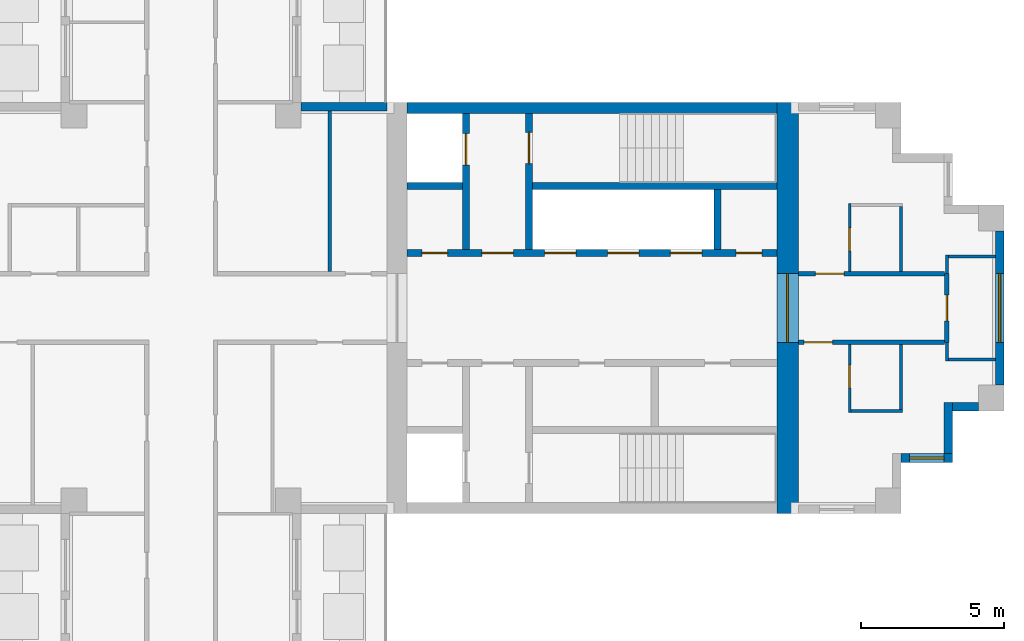
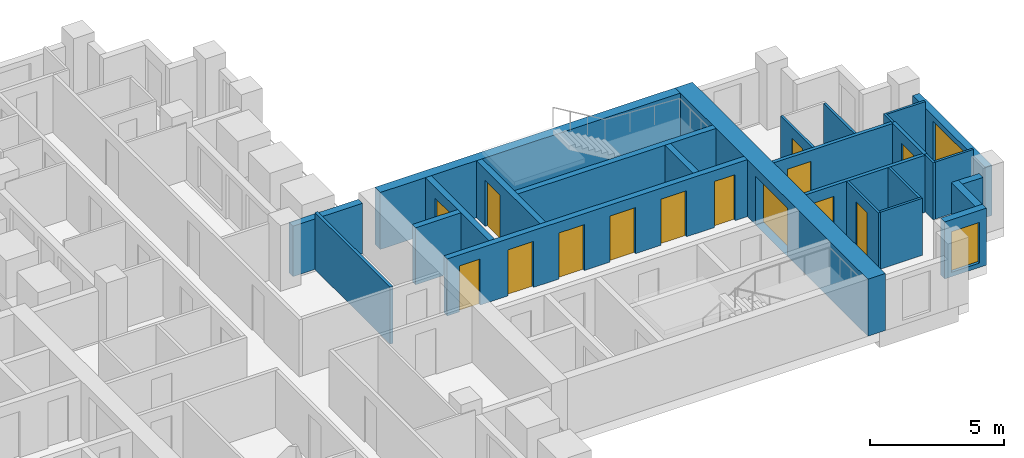
# One storey, part 6 of 10: 26 walls, 14 doors, 2 windows, 16 openings.
"""IFC4 building model written with IfcOpenShell, lengths in metres."""

from ifc_helpers import new_model, si_unit, direction, frame, frame_2d, origin, place, context, subcontext, project, spatial, rectangle, extrude, material, layer, layer_set, type_object, element, fill, save


model = new_model("IFC4")

# Units and contexts
model_context = context("Model", 3, precision=1e-05, world=origin(), true_north=direction((0.0, 1.0)))
body_context = subcontext(model_context, "Body", "Model", "MODEL_VIEW")
ifc_project = project(units=[si_unit("LENGTHUNIT", "METRE"), si_unit("AREAUNIT", "SQUARE_METRE"), si_unit("VOLUMEUNIT", "CUBIC_METRE"), si_unit("PLANEANGLEUNIT", "RADIAN"), si_unit("MASSUNIT", "GRAM", prefix="KILO")], contexts=[model_context])

# Site, building, storey
site_placement = place(None, origin())
site = spatial("IfcSite", under=ifc_project, at=site_placement, CompositionType="ELEMENT")
building_placement = place(site_placement, origin())
building = spatial("IfcBuilding", under=site, at=building_placement, Name="Fustian Cross Tower", CompositionType="ELEMENT")
storey_placement = place(building_placement, frame((0.0, 0.0, 225.89990234375)))
storey = spatial("IfcBuildingStorey", under=building, at=storey_placement, Name="L71", CompositionType="ELEMENT", Elevation=225.89990234375)

# Wall, opening, door
ifc_material_1 = material(Name="Plasterboard on steel stud", Category="steel")
ifc_layer_1 = layer(ifc_material_1, 0.14990234375)
ifc_layer_set_1 = layer_set([ifc_layer_1], Name="Plasterboard on steel stud")
wall_type_1 = type_object("IfcWallType", Name="COMPARTMENT WALL 150 EI 60", PredefinedType="PARTITIONING", material=ifc_layer_set_1)
wall_1_placement = place(storey_placement, frame((21.60009765625, -1.199951171875, 0.0), z_axis=(0.0, 0.0, 1.0), x_axis=(1.0, 0.0, 0.0)))
wall_1 = element("IfcWall", 1, at=wall_1_placement, inside=storey, type_object=wall_type_1, Name="Partition 60", PredefinedType="PARTITIONING", context=body_context, shape_type="SweptSolid", body=[
    extrude(rectangle(XDim=5.125, YDim=0.14990234375, at=frame_2d((2.5625, 0.0))), origin(), (0.0, 0.0, 1.0), 2.60009765625),
])
opening_1_placement = place(wall_1_placement, frame((0.199951171875, 0.0, 0.0)))
opening_1 = element("IfcOpeningElement", 2, at=opening_1_placement, cuts=wall_1, Name="Opening D32014", PredefinedType="OPENING", context=body_context, shape_type="SweptSolid", body=[
    extrude(rectangle(XDim=1.0, YDim=2.10009765625, at=frame_2d((0.5, 1.050048828125))), frame((0.0, 0.0849609375, 0.0), z_axis=(0.0, -1.0, 0.0), x_axis=(1.0, 0.0, 0.0)), (0.0, 0.0, 1.0), 0.169921875),
])
ifc_material_2 = material(Name="Timber fire door set", Category="wood")
door_type_1 = type_object("IfcDoorType", Name="FIRE SWING DOOR 1000 FD30S", OperationType="SINGLE_SWING_LEFT", PredefinedType="DOOR", material=ifc_material_2)
door_1_placement = place(opening_1_placement, frame((1.0, 0.0, 0.0), z_axis=(0.0, 0.0, 1.0), x_axis=(-1.0, 0.0, 0.0)))
door_1 = element("IfcDoor", 3, at=door_1_placement, inside=storey, type_object=door_type_1, Name="Door D32014", OperationType="SINGLE_SWING_RIGHT", OverallHeight=2.10009765625, OverallWidth=1.0, PredefinedType="DOOR", context=body_context, shape_type="SweptSolid", body=[
    extrude(rectangle(XDim=1.0, YDim=2.10009765625, at=frame_2d((0.5, 1.050048828125))), frame((0.0, 0.02490234375, 0.0), z_axis=(0.0, -1.0, 0.0), x_axis=(1.0, 0.0, 0.0)), (0.0, 0.0, 1.0), 0.050048828125),
])
fill(opening_1, door_1)

wall_2_placement = place(storey_placement, frame((21.60009765625, 1.199951171875, 0.0), z_axis=(0.0, 0.0, 1.0), x_axis=(1.0, 0.0, 0.0)))
wall_2 = element("IfcWall", 4, at=wall_2_placement, inside=storey, type_object=wall_type_1, Name="Partition 61", PredefinedType="PARTITIONING", context=body_context, shape_type="SweptSolid", body=[
    extrude(rectangle(XDim=5.125, YDim=0.14990234375, at=frame_2d((2.5625, 0.0))), origin(), (0.0, 0.0, 1.0), 2.60009765625),
])
opening_2_placement = place(wall_2_placement, frame((0.60009765625, 0.0, 0.0)))
opening_2 = element("IfcOpeningElement", 5, at=opening_2_placement, cuts=wall_2, Name="Opening D32012", PredefinedType="OPENING", context=body_context, shape_type="SweptSolid", body=[
    extrude(rectangle(XDim=1.0, YDim=2.10009765625, at=frame_2d((0.5, 1.050048828125))), frame((0.0, 0.0849609375, 0.0), z_axis=(0.0, -1.0, 0.0), x_axis=(1.0, 0.0, 0.0)), (0.0, 0.0, 1.0), 0.169921875),
])
door_2_placement = place(opening_2_placement, origin())
door_2 = element("IfcDoor", 6, at=door_2_placement, inside=storey, type_object=door_type_1, Name="Door D32012", OperationType="SINGLE_SWING_RIGHT", OverallHeight=2.10009765625, OverallWidth=1.0, PredefinedType="DOOR", context=body_context, shape_type="SweptSolid", body=[
    extrude(rectangle(XDim=1.0, YDim=2.10009765625, at=frame_2d((0.5, 1.050048828125))), frame((0.0, 0.02490234375, 0.0), z_axis=(0.0, -1.0, 0.0), x_axis=(1.0, 0.0, 0.0)), (0.0, 0.0, 1.0), 0.050048828125),
])
fill(opening_2, door_2)

wall_3_placement = place(storey_placement, frame((26.800048828125, -1.199951171875, 0.0), z_axis=(0.0, 0.0, 1.0), x_axis=(0.0, 1.0, 0.0)))
wall_3 = element("IfcWall", 7, at=wall_3_placement, inside=storey, type_object=wall_type_1, Name="Partition 70", PredefinedType="PARTITIONING", context=body_context, shape_type="SweptSolid", body=[
    extrude(rectangle(XDim=2.39990234375, YDim=0.14990234375, at=frame_2d((1.199951171875, 0.0))), origin(), (0.0, 0.0, 1.0), 2.60009765625),
])
opening_3_placement = place(wall_3_placement, frame((0.75, 0.0, 0.0)))
opening_3 = element("IfcOpeningElement", 8, at=opening_3_placement, cuts=wall_3, Name="Opening D32010", PredefinedType="OPENING", context=body_context, shape_type="SweptSolid", body=[
    extrude(rectangle(XDim=0.89990234375, YDim=2.10009765625, at=frame_2d((0.449951171875, 1.050048828125))), frame((0.0, 0.0849609375, 0.0), z_axis=(0.0, -1.0, 0.0), x_axis=(1.0, 0.0, 0.0)), (0.0, 0.0, 1.0), 0.169921875),
])
ifc_material_3 = material(Name="Timber fire door set", Category="wood")
door_type_2 = type_object("IfcDoorType", Name="FIRE SWING DOOR 900 FD30S", OperationType="SINGLE_SWING_LEFT", PredefinedType="DOOR", material=ifc_material_3)
door_3_placement = place(opening_3_placement, frame((0.89990234375, 0.0, 0.0), z_axis=(0.0, 0.0, 1.0), x_axis=(-1.0, 0.0, 0.0)))
door_3 = element("IfcDoor", 9, at=door_3_placement, inside=storey, type_object=door_type_2, Name="Door D32010", OperationType="SINGLE_SWING_RIGHT", OverallHeight=2.10009765625, OverallWidth=0.89990234375, PredefinedType="DOOR", context=body_context, shape_type="SweptSolid", body=[
    extrude(rectangle(XDim=0.89990234375, YDim=2.10009765625, at=frame_2d((0.449951171875, 1.050048828125))), frame((0.0, 0.02490234375, 0.0), z_axis=(0.0, -1.0, 0.0), x_axis=(1.0, 0.0, 0.0)), (0.0, 0.0, 1.0), 0.050048828125),
])
fill(opening_3, door_3)

ifc_material_4 = material(Name="Concrete C50/60", Category="concrete")
ifc_layer_2 = layer(ifc_material_4, 0.75)
ifc_layer_set_2 = layer_set([ifc_layer_2], Name="Concrete C50/60")
wall_type_2 = type_object("IfcWallType", Name="CORE END WALL 750 C50/60", PredefinedType="SHEAR", material=ifc_layer_set_2)
wall_4_placement = place(storey_placement, frame((21.22509765625, -7.199951171875, 0.0), z_axis=(0.0, 0.0, 1.0), x_axis=(0.0, 1.0, 0.0)))
wall_4 = element("IfcWall", 10, at=wall_4_placement, inside=storey, type_object=wall_type_2, Name="Core end wall", PredefinedType="SHEAR", context=body_context, shape_type="SweptSolid", body=[
    extrude(rectangle(XDim=14.39990234375, YDim=0.75, at=frame_2d((7.199951171875, 0.0))), origin(), (0.0, 0.0, 1.0), 2.60009765625),
])
opening_4_placement = place(wall_4_placement, frame((6.0, 0.0, 0.0)))
opening_4 = element("IfcOpeningElement", 11, at=opening_4_placement, cuts=wall_4, Name="Opening CD-27-13", PredefinedType="OPENING", context=body_context, shape_type="SweptSolid", body=[
    extrude(rectangle(XDim=2.39990234375, YDim=2.199951171875, at=frame_2d((1.199951171875, 1.10009765625))), frame((0.0, 0.385009765625, 0.0), z_axis=(0.0, -1.0, 0.0), x_axis=(1.0, 0.0, 0.0)), (0.0, 0.0, 1.0), 0.77001953125),
])
ifc_material_5 = material(Name="Steel", Category="steel")
door_type_3 = type_object("IfcDoorType", Name="FIRE DOOR FD30S DOUBLE 2400X2200", OperationType="DOUBLE_DOOR_DOUBLE_SWING", PredefinedType="DOOR", material=ifc_material_5)
door_4_placement = place(opening_4_placement, origin())
door_4 = element("IfcDoor", 12, at=door_4_placement, inside=storey, type_object=door_type_3, Name="Core door CD-27-13", OperationType="DOUBLE_DOOR_DOUBLE_SWING", OverallHeight=2.199951171875, OverallWidth=2.39990234375, PredefinedType="DOOR", context=body_context, shape_type="SweptSolid", body=[
    extrude(rectangle(XDim=2.39990234375, YDim=2.199951171875, at=frame_2d((1.199951171875, 1.10009765625))), frame((0.0, 0.02490234375, 0.0), z_axis=(0.0, -1.0, 0.0), x_axis=(1.0, 0.0, 0.0)), (0.0, 0.0, 1.0), 0.050048828125),
])
fill(opening_4, door_4)

# Wall
ifc_material_6 = material(Name="Concrete C50/60", Category="concrete")
ifc_layer_3 = layer(ifc_material_6, 0.39990234375)
ifc_layer_set_3 = layer_set([ifc_layer_3], Name="Concrete C50/60")
wall_type_3 = type_object("IfcWallType", Name="CORE FACADE WALL 400 C50/60", PredefinedType="SHEAR", material=ifc_layer_set_3)
wall_5_placement = place(storey_placement, frame((7.89990234375, 7.0, 0.0), z_axis=(0.0, 0.0, 1.0), x_axis=(1.0, 0.0, 0.0)))
element("IfcWall", 13, at=wall_5_placement, inside=storey, type_object=wall_type_3, Name="Core facade wall", PredefinedType="SHEAR", context=body_context, shape_type="SweptSolid", body=[
    extrude(rectangle(XDim=12.9501953125, YDim=0.39990234375, at=frame_2d((6.47509765625, 0.0))), origin(), (0.0, 0.0, 1.0), 2.60009765625),
])

# Wall, openings, doors
ifc_material_7 = material(Name="Concrete C50/60", Category="concrete")
ifc_layer_4 = layer(ifc_material_7, 0.25)
ifc_layer_set_4 = layer_set([ifc_layer_4], Name="Concrete C50/60")
wall_type_4 = type_object("IfcWallType", Name="CORE LOBBY WALL 250 C50/60", PredefinedType="SHEAR", material=ifc_layer_set_4)
wall_6_placement = place(storey_placement, frame((7.89990234375, 1.925048828125, 0.0), z_axis=(0.0, 0.0, 1.0), x_axis=(1.0, 0.0, 0.0)))
wall_6 = element("IfcWall", 14, at=wall_6_placement, inside=storey, type_object=wall_type_4, Name="Core lobby wall", PredefinedType="SHEAR", context=body_context, shape_type="SweptSolid", body=[
    extrude(rectangle(XDim=12.9501953125, YDim=0.25, at=frame_2d((6.47509765625, 0.0))), origin(), (0.0, 0.0, 1.0), 2.60009765625),
])
opening_5_placement = place(wall_6_placement, frame((4.824951171875, 0.0, 0.0)))
opening_5 = element("IfcOpeningElement", 15, at=opening_5_placement, cuts=wall_6, Name="Opening LD", PredefinedType="OPENING", context=body_context, shape_type="SweptSolid", body=[
    extrude(rectangle(XDim=1.10009765625, YDim=2.10009765625, at=frame_2d((0.550048828125, 1.050048828125))), frame((0.0, 0.135009765625, 0.0), z_axis=(0.0, -1.0, 0.0), x_axis=(1.0, 0.0, 0.0)), (0.0, 0.0, 1.0), 0.27001953125),
])
opening_6_placement = place(wall_6_placement, frame((7.02490234375, 0.0, 0.0)))
opening_6 = element("IfcOpeningElement", 16, at=opening_6_placement, cuts=wall_6, Name="Opening LD", PredefinedType="OPENING", context=body_context, shape_type="SweptSolid", body=[
    extrude(rectangle(XDim=1.10009765625, YDim=2.10009765625, at=frame_2d((0.550048828125, 1.050048828125))), frame((0.0, 0.135009765625, 0.0), z_axis=(0.0, -1.0, 0.0), x_axis=(1.0, 0.0, 0.0)), (0.0, 0.0, 1.0), 0.27001953125),
])
opening_7_placement = place(wall_6_placement, frame((9.22509765625, 0.0, 0.0)))
opening_7 = element("IfcOpeningElement", 17, at=opening_7_placement, cuts=wall_6, Name="Opening LD", PredefinedType="OPENING", context=body_context, shape_type="SweptSolid", body=[
    extrude(rectangle(XDim=1.10009765625, YDim=2.10009765625, at=frame_2d((0.550048828125, 1.050048828125))), frame((0.0, 0.135009765625, 0.0), z_axis=(0.0, -1.0, 0.0), x_axis=(1.0, 0.0, 0.0)), (0.0, 0.0, 1.0), 0.27001953125),
])
opening_8_placement = place(wall_6_placement, frame((0.52490234375, 0.0, 0.0)))
opening_8 = element("IfcOpeningElement", 18, at=opening_8_placement, cuts=wall_6, Name="Opening CD-27-08", PredefinedType="OPENING", context=body_context, shape_type="SweptSolid", body=[
    extrude(rectangle(XDim=0.89990234375, YDim=2.10009765625, at=frame_2d((0.449951171875, 1.050048828125))), frame((0.0, 0.135009765625, 0.0), z_axis=(0.0, -1.0, 0.0), x_axis=(1.0, 0.0, 0.0)), (0.0, 0.0, 1.0), 0.27001953125),
])
opening_9_placement = place(wall_6_placement, frame((2.625, 0.0, 0.0)))
opening_9 = element("IfcOpeningElement", 19, at=opening_9_placement, cuts=wall_6, Name="Opening CD-27-10", PredefinedType="OPENING", context=body_context, shape_type="SweptSolid", body=[
    extrude(rectangle(XDim=1.10009765625, YDim=2.10009765625, at=frame_2d((0.550048828125, 1.050048828125))), frame((0.0, 0.135009765625, 0.0), z_axis=(0.0, -1.0, 0.0), x_axis=(1.0, 0.0, 0.0)), (0.0, 0.0, 1.0), 0.27001953125),
])
opening_10_placement = place(wall_6_placement, frame((11.52490234375, 0.0, 0.0)))
opening_10 = element("IfcOpeningElement", 20, at=opening_10_placement, cuts=wall_6, Name="Opening CD-27-14", PredefinedType="OPENING", context=body_context, shape_type="SweptSolid", body=[
    extrude(rectangle(XDim=0.89990234375, YDim=2.10009765625, at=frame_2d((0.449951171875, 1.050048828125))), frame((0.0, 0.135009765625, 0.0), z_axis=(0.0, -1.0, 0.0), x_axis=(1.0, 0.0, 0.0)), (0.0, 0.0, 1.0), 0.27001953125),
])
ifc_material_8 = material(Name="Steel", Category="steel")
door_type_4 = type_object("IfcDoorType", Name="FIRE DOOR FD30S 900X2100", OperationType="SINGLE_SWING_LEFT", PredefinedType="DOOR", material=ifc_material_8)
door_5_placement = place(opening_10_placement, origin())
door_5 = element("IfcDoor", 21, at=door_5_placement, inside=storey, type_object=door_type_4, Name="Core door CD-27-14", OperationType="SINGLE_SWING_LEFT", OverallHeight=2.10009765625, OverallWidth=0.89990234375, PredefinedType="DOOR", context=body_context, shape_type="SweptSolid", body=[
    extrude(rectangle(XDim=0.89990234375, YDim=2.10009765625, at=frame_2d((0.449951171875, 1.050048828125))), frame((0.0, 0.02490234375, 0.0), z_axis=(0.0, -1.0, 0.0), x_axis=(1.0, 0.0, 0.0)), (0.0, 0.0, 1.0), 0.050048828125),
])
fill(opening_10, door_5)
ifc_material_9 = material(Name="Steel", Category="steel")
door_type_5 = type_object("IfcDoorType", Name="FIRE DOOR FD60S 1100X2100", OperationType="SINGLE_SWING_LEFT", PredefinedType="DOOR", material=ifc_material_9)
door_6_placement = place(opening_9_placement, frame((1.10009765625, 0.0, 0.0), z_axis=(0.0, 0.0, 1.0), x_axis=(-1.0, 0.0, 0.0)))
door_6 = element("IfcDoor", 22, at=door_6_placement, inside=storey, type_object=door_type_5, Name="Core door CD-27-10", OperationType="SINGLE_SWING_RIGHT", OverallHeight=2.10009765625, OverallWidth=1.10009765625, PredefinedType="DOOR", context=body_context, shape_type="SweptSolid", body=[
    extrude(rectangle(XDim=1.10009765625, YDim=2.10009765625, at=frame_2d((0.550048828125, 1.050048828125))), frame((0.0, 0.02490234375, 0.0), z_axis=(0.0, -1.0, 0.0), x_axis=(1.0, 0.0, 0.0)), (0.0, 0.0, 1.0), 0.050048828125),
])
fill(opening_9, door_6)
ifc_material_10 = material(Name="Steel", Category="steel")
door_type_6 = type_object("IfcDoorType", Name="FIRE DOOR FD60S 900X2100", OperationType="SINGLE_SWING_LEFT", PredefinedType="DOOR", material=ifc_material_10)
door_7_placement = place(opening_8_placement, origin())
door_7 = element("IfcDoor", 23, at=door_7_placement, inside=storey, type_object=door_type_6, Name="Core door CD-27-08", OperationType="SINGLE_SWING_LEFT", OverallHeight=2.10009765625, OverallWidth=0.89990234375, PredefinedType="DOOR", context=body_context, shape_type="SweptSolid", body=[
    extrude(rectangle(XDim=0.89990234375, YDim=2.10009765625, at=frame_2d((0.449951171875, 1.050048828125))), frame((0.0, 0.02490234375, 0.0), z_axis=(0.0, -1.0, 0.0), x_axis=(1.0, 0.0, 0.0)), (0.0, 0.0, 1.0), 0.050048828125),
])
fill(opening_8, door_7)
ifc_material_11 = material(Name="Stainless steel", Category="steel")
door_type_7 = type_object("IfcDoorType", Name="LIFT LANDING DOOR 1100X2100", OperationType="SLIDING_TO_LEFT", PredefinedType="DOOR", material=ifc_material_11)
door_8_placement = place(opening_5_placement, origin())
door_8 = element("IfcDoor", 24, at=door_8_placement, inside=storey, type_object=door_type_7, Name="Landing door HR1", OperationType="SLIDING_TO_LEFT", OverallHeight=2.10009765625, OverallWidth=1.10009765625, PredefinedType="DOOR", context=body_context, shape_type="SweptSolid", body=[
    extrude(rectangle(XDim=1.10009765625, YDim=2.10009765625, at=frame_2d((0.550048828125, 1.050048828125))), frame((0.0, 0.02490234375, 0.0), z_axis=(0.0, -1.0, 0.0), x_axis=(1.0, 0.0, 0.0)), (0.0, 0.0, 1.0), 0.050048828125),
])
fill(opening_5, door_8)
door_9_placement = place(opening_6_placement, origin())
door_9 = element("IfcDoor", 25, at=door_9_placement, inside=storey, type_object=door_type_7, Name="Landing door HR2", OperationType="SLIDING_TO_LEFT", OverallHeight=2.10009765625, OverallWidth=1.10009765625, PredefinedType="DOOR", context=body_context, shape_type="SweptSolid", body=[
    extrude(rectangle(XDim=1.10009765625, YDim=2.10009765625, at=frame_2d((0.550048828125, 1.050048828125))), frame((0.0, 0.02490234375, 0.0), z_axis=(0.0, -1.0, 0.0), x_axis=(1.0, 0.0, 0.0)), (0.0, 0.0, 1.0), 0.050048828125),
])
fill(opening_6, door_9)
door_10_placement = place(opening_7_placement, origin())
door_10 = element("IfcDoor", 26, at=door_10_placement, inside=storey, type_object=door_type_7, Name="Landing door HR3", OperationType="SLIDING_TO_LEFT", OverallHeight=2.10009765625, OverallWidth=1.10009765625, PredefinedType="DOOR", context=body_context, shape_type="SweptSolid", body=[
    extrude(rectangle(XDim=1.10009765625, YDim=2.10009765625, at=frame_2d((0.550048828125, 1.050048828125))), frame((0.0, 0.02490234375, 0.0), z_axis=(0.0, -1.0, 0.0), x_axis=(1.0, 0.0, 0.0)), (0.0, 0.0, 1.0), 0.050048828125),
])
fill(opening_7, door_10)

# Walls
ifc_material_12 = material(Name="Concrete C50/60", Category="concrete")
ifc_layer_5 = layer(ifc_material_12, 0.25)
ifc_layer_set_5 = layer_set([ifc_layer_5], Name="Concrete C50/60")
wall_type_5 = type_object("IfcWallType", Name="CORE SHAFT WALL 250 C50/60", PredefinedType="SHEAR", material=ifc_layer_set_5)
wall_7_placement = place(storey_placement, frame((7.89990234375, 4.27490234375, 0.0), z_axis=(0.0, 0.0, 1.0), x_axis=(1.0, 0.0, 0.0)))
element("IfcWall", 27, at=wall_7_placement, inside=storey, type_object=wall_type_5, Name="Core shaft wall", PredefinedType="SHEAR", context=body_context, shape_type="SweptSolid", body=[
    extrude(rectangle(XDim=1.9501953125, YDim=0.25, at=frame_2d((0.97509765625, 0.0))), origin(), (0.0, 0.0, 1.0), 2.60009765625),
])
wall_8_placement = place(storey_placement, frame((12.300048828125, 4.27490234375, 0.0), z_axis=(0.0, 0.0, 1.0), x_axis=(1.0, 0.0, 0.0)))
element("IfcWall", 28, at=wall_8_placement, inside=storey, type_object=wall_type_5, Name="Core shaft wall", PredefinedType="SHEAR", context=body_context, shape_type="SweptSolid", body=[
    extrude(rectangle(XDim=8.550048828125, YDim=0.25, at=frame_2d((4.27490234375, 0.0))), origin(), (0.0, 0.0, 1.0), 2.60009765625),
])

# Wall, opening, door
wall_9_placement = place(storey_placement, frame((9.97509765625, 2.050048828125, 0.0), z_axis=(0.0, 0.0, 1.0), x_axis=(0.0, 1.0, 0.0)))
wall_9 = element("IfcWall", 29, at=wall_9_placement, inside=storey, type_object=wall_type_5, Name="Core shaft wall", PredefinedType="SHEAR", context=body_context, shape_type="SweptSolid", body=[
    extrude(rectangle(XDim=4.75, YDim=0.25, at=frame_2d((2.375, 0.0))), origin(), (0.0, 0.0, 1.0), 2.60009765625),
])
opening_11_placement = place(wall_9_placement, frame((2.949951171875, 0.0, 0.0)))
opening_11 = element("IfcOpeningElement", 30, at=opening_11_placement, cuts=wall_9, Name="Opening LD", PredefinedType="OPENING", context=body_context, shape_type="SweptSolid", body=[
    extrude(rectangle(XDim=1.10009765625, YDim=2.10009765625, at=frame_2d((0.550048828125, 1.050048828125))), frame((0.0, 0.135009765625, 0.0), z_axis=(0.0, -1.0, 0.0), x_axis=(1.0, 0.0, 0.0)), (0.0, 0.0, 1.0), 0.27001953125),
])
door_11_placement = place(opening_11_placement, origin())
door_11 = element("IfcDoor", 31, at=door_11_placement, inside=storey, type_object=door_type_7, Name="Landing door FL1", OperationType="SLIDING_TO_LEFT", OverallHeight=2.10009765625, OverallWidth=1.10009765625, PredefinedType="DOOR", context=body_context, shape_type="SweptSolid", body=[
    extrude(rectangle(XDim=1.10009765625, YDim=2.10009765625, at=frame_2d((0.550048828125, 1.050048828125))), frame((0.0, 0.02490234375, 0.0), z_axis=(0.0, -1.0, 0.0), x_axis=(1.0, 0.0, 0.0)), (0.0, 0.0, 1.0), 0.050048828125),
])
fill(opening_11, door_11)

wall_10_placement = place(storey_placement, frame((12.175048828125, 2.050048828125, 0.0), z_axis=(0.0, 0.0, 1.0), x_axis=(0.0, 1.0, 0.0)))
wall_10 = element("IfcWall", 32, at=wall_10_placement, inside=storey, type_object=wall_type_5, Name="Core shaft wall", PredefinedType="SHEAR", context=body_context, shape_type="SweptSolid", body=[
    extrude(rectangle(XDim=4.75, YDim=0.25, at=frame_2d((2.375, 0.0))), origin(), (0.0, 0.0, 1.0), 2.60009765625),
])
opening_12_placement = place(wall_10_placement, frame((3.0, 0.0, 0.0)))
opening_12 = element("IfcOpeningElement", 33, at=opening_12_placement, cuts=wall_10, Name="Opening CD-27-06", PredefinedType="OPENING", context=body_context, shape_type="SweptSolid", body=[
    extrude(rectangle(XDim=1.10009765625, YDim=2.10009765625, at=frame_2d((0.550048828125, 1.050048828125))), frame((0.0, 0.135009765625, 0.0), z_axis=(0.0, -1.0, 0.0), x_axis=(1.0, 0.0, 0.0)), (0.0, 0.0, 1.0), 0.27001953125),
])
door_12_placement = place(opening_12_placement, frame((1.10009765625, 0.0, 0.0), z_axis=(0.0, 0.0, 1.0), x_axis=(-1.0, 0.0, 0.0)))
door_12 = element("IfcDoor", 34, at=door_12_placement, inside=storey, type_object=door_type_5, Name="Core door CD-27-06", OperationType="SINGLE_SWING_RIGHT", OverallHeight=2.10009765625, OverallWidth=1.10009765625, PredefinedType="DOOR", context=body_context, shape_type="SweptSolid", body=[
    extrude(rectangle(XDim=1.10009765625, YDim=2.10009765625, at=frame_2d((0.550048828125, 1.050048828125))), frame((0.0, 0.02490234375, 0.0), z_axis=(0.0, -1.0, 0.0), x_axis=(1.0, 0.0, 0.0)), (0.0, 0.0, 1.0), 0.050048828125),
])
fill(opening_12, door_12)

ifc_material_13 = material(Name="Plasterboard on steel stud", Category="steel")
ifc_layer_6 = layer(ifc_material_13, 0.10009765625)
ifc_layer_set_6 = layer_set([ifc_layer_6], Name="Plasterboard on steel stud")
wall_type_6 = type_object("IfcWallType", Name="PARTITION 100 STUD", PredefinedType="PARTITIONING", material=ifc_layer_set_6)
wall_11_placement = place(storey_placement, frame((23.39990234375, -3.64990234375, 0.0), z_axis=(0.0, 0.0, 1.0), x_axis=(0.0, 1.0, 0.0)))
wall_11 = element("IfcWall", 35, at=wall_11_placement, inside=storey, type_object=wall_type_6, Name="Partition 62", PredefinedType="PARTITIONING", context=body_context, shape_type="SweptSolid", body=[
    extrude(rectangle(XDim=2.375, YDim=0.10009765625, at=frame_2d((1.1875, 0.0))), origin(), (0.0, 0.0, 1.0), 2.60009765625),
])
opening_13_placement = place(wall_11_placement, frame((0.85009765625, 0.0, 0.0)))
opening_13 = element("IfcOpeningElement", 36, at=opening_13_placement, cuts=wall_11, Name="Opening D32013", PredefinedType="OPENING", context=body_context, shape_type="SweptSolid", body=[
    extrude(rectangle(XDim=0.800048828125, YDim=2.10009765625, at=frame_2d((0.39990234375, 1.050048828125))), frame((0.0, 0.06005859375, 0.0), z_axis=(0.0, -1.0, 0.0), x_axis=(1.0, 0.0, 0.0)), (0.0, 0.0, 1.0), 0.1201171875),
])
ifc_material_14 = material(Name="Painted timber", Category="wood")
door_type_8 = type_object("IfcDoorType", Name="SWING DOOR 800", OperationType="SINGLE_SWING_LEFT", PredefinedType="DOOR", material=ifc_material_14)
door_13_placement = place(opening_13_placement, frame((0.800048828125, 0.0, 0.0), z_axis=(0.0, 0.0, 1.0), x_axis=(-1.0, 0.0, 0.0)))
door_13 = element("IfcDoor", 37, at=door_13_placement, inside=storey, type_object=door_type_8, Name="Door D32013", OperationType="SINGLE_SWING_RIGHT", OverallHeight=2.10009765625, OverallWidth=0.800048828125, PredefinedType="DOOR", context=body_context, shape_type="SweptSolid", body=[
    extrude(rectangle(XDim=0.800048828125, YDim=2.10009765625, at=frame_2d((0.39990234375, 1.050048828125))), frame((0.0, 0.02490234375, 0.0), z_axis=(0.0, -1.0, 0.0), x_axis=(1.0, 0.0, 0.0)), (0.0, 0.0, 1.0), 0.050048828125),
])
fill(opening_13, door_13)

# Wall
wall_12_placement = place(storey_placement, frame((23.449951171875, -3.60009765625, 0.0), z_axis=(0.0, 0.0, 1.0), x_axis=(1.0, 0.0, 0.0)))
element("IfcWall", 38, at=wall_12_placement, inside=storey, type_object=wall_type_6, Name="Partition 63", PredefinedType="PARTITIONING", context=body_context, shape_type="SweptSolid", body=[
    extrude(rectangle(XDim=1.800048828125, YDim=0.10009765625, at=frame_2d((0.89990234375, 0.0))), origin(), (0.0, 0.0, 1.0), 2.60009765625),
])

# Wall, opening, door
wall_13_placement = place(storey_placement, frame((23.39990234375, 1.27490234375, 0.0), z_axis=(0.0, 0.0, 1.0), x_axis=(0.0, 1.0, 0.0)))
wall_13 = element("IfcWall", 39, at=wall_13_placement, inside=storey, type_object=wall_type_6, Name="Partition 64", PredefinedType="PARTITIONING", context=body_context, shape_type="SweptSolid", body=[
    extrude(rectangle(XDim=2.375, YDim=0.10009765625, at=frame_2d((1.1875, 0.0))), origin(), (0.0, 0.0, 1.0), 2.60009765625),
])
opening_14_placement = place(wall_13_placement, frame((0.72509765625, 0.0, 0.0)))
opening_14 = element("IfcOpeningElement", 40, at=opening_14_placement, cuts=wall_13, Name="Opening D32011", PredefinedType="OPENING", context=body_context, shape_type="SweptSolid", body=[
    extrude(rectangle(XDim=0.800048828125, YDim=2.10009765625, at=frame_2d((0.39990234375, 1.050048828125))), frame((0.0, 0.06005859375, 0.0), z_axis=(0.0, -1.0, 0.0), x_axis=(1.0, 0.0, 0.0)), (0.0, 0.0, 1.0), 0.1201171875),
])
door_14_placement = place(opening_14_placement, frame((0.800048828125, 0.0, 0.0), z_axis=(0.0, 0.0, 1.0), x_axis=(-1.0, 0.0, 0.0)))
door_14 = element("IfcDoor", 41, at=door_14_placement, inside=storey, type_object=door_type_8, Name="Door D32011", OperationType="SINGLE_SWING_RIGHT", OverallHeight=2.10009765625, OverallWidth=0.800048828125, PredefinedType="DOOR", context=body_context, shape_type="SweptSolid", body=[
    extrude(rectangle(XDim=0.800048828125, YDim=2.10009765625, at=frame_2d((0.39990234375, 1.050048828125))), frame((0.0, 0.02490234375, 0.0), z_axis=(0.0, -1.0, 0.0), x_axis=(1.0, 0.0, 0.0)), (0.0, 0.0, 1.0), 0.050048828125),
])
fill(opening_14, door_14)

# Walls
for number, where, z_axis, x_axis, name in (
    (42, (25.199951171875, -3.550048828125, 0.0), (0.0, 0.0, 1.0), (0.0, 1.0, 0.0), "Partition 66"),
    (43, (25.199951171875, 1.27490234375, 0.0), (0.0, 0.0, 1.0), (0.0, 1.0, 0.0), "Partition 67"),
):
    element("IfcWall", number, at=place(storey_placement, frame(where, z_axis=z_axis, x_axis=x_axis)), inside=storey, type_object=wall_type_6, Name=name, PredefinedType="PARTITIONING", context=body_context, shape_type="SweptSolid", body=[
        extrude(rectangle(XDim=2.275146484375, YDim=0.10009765625, at=frame_2d((1.1376953125, 0.0))), origin(), (0.0, 0.0, 1.0), 2.60009765625),
    ])
wall_14_placement = place(storey_placement, frame((26.800048828125, -1.85009765625, 0.0), z_axis=(0.0, 0.0, 1.0), x_axis=(0.0, 1.0, 0.0)))
element("IfcWall", 44, at=wall_14_placement, inside=storey, type_object=wall_type_6, Name="Partition 68", PredefinedType="PARTITIONING", context=body_context, shape_type="SweptSolid", body=[
    extrude(rectangle(XDim=0.650146484375, YDim=0.10009765625, at=frame_2d((0.3251953125, 0.0))), origin(), (0.0, 0.0, 1.0), 2.60009765625),
])
wall_15_placement = place(storey_placement, frame((26.85009765625, -1.800048828125, 0.0), z_axis=(0.0, 0.0, 1.0), x_axis=(1.0, 0.0, 0.0)))
element("IfcWall", 45, at=wall_15_placement, inside=storey, type_object=wall_type_6, Name="Partition 69", PredefinedType="PARTITIONING", context=body_context, shape_type="SweptSolid", body=[
    extrude(rectangle(XDim=1.64990234375, YDim=0.10009765625, at=frame_2d((0.824951171875, 0.0))), origin(), (0.0, 0.0, 1.0), 2.60009765625),
])
wall_16_placement = place(storey_placement, frame((26.800048828125, 1.199951171875, 0.0), z_axis=(0.0, 0.0, 1.0), x_axis=(0.0, 1.0, 0.0)))
element("IfcWall", 46, at=wall_16_placement, inside=storey, type_object=wall_type_6, Name="Partition 71", PredefinedType="PARTITIONING", context=body_context, shape_type="SweptSolid", body=[
    extrude(rectangle(XDim=0.650146484375, YDim=0.10009765625, at=frame_2d((0.3251953125, 0.0))), origin(), (0.0, 0.0, 1.0), 2.60009765625),
])
wall_17_placement = place(storey_placement, frame((26.85009765625, 1.800048828125, 0.0), z_axis=(0.0, 0.0, 1.0), x_axis=(1.0, 0.0, 0.0)))
element("IfcWall", 47, at=wall_17_placement, inside=storey, type_object=wall_type_6, Name="Partition 72", PredefinedType="PARTITIONING", context=body_context, shape_type="SweptSolid", body=[
    extrude(rectangle(XDim=1.64990234375, YDim=0.10009765625, at=frame_2d((0.824951171875, 0.0))), origin(), (0.0, 0.0, 1.0), 2.60009765625),
])
ifc_material_15 = material(Name="Concrete C40/50", Category="concrete")
ifc_layer_7 = layer(ifc_material_15, 0.25)
ifc_layer_set_7 = layer_set([ifc_layer_7], Name="Concrete C40/50")
wall_type_7 = type_object("IfcWallType", Name="SHAFT PARTITION WALL 250 C40/50", PredefinedType="PARTITIONING", material=ifc_layer_set_7)
wall_18_placement = place(storey_placement, frame((18.77490234375, 2.050048828125, 0.0), z_axis=(0.0, 0.0, 1.0), x_axis=(0.0, 1.0, 0.0)))
element("IfcWall", 48, at=wall_18_placement, inside=storey, type_object=wall_type_7, Name="Core shaft wall", PredefinedType="PARTITIONING", context=body_context, shape_type="SweptSolid", body=[
    extrude(rectangle(XDim=2.099853515625, YDim=0.25, at=frame_2d((1.0498046875, 0.0))), origin(), (0.0, 0.0, 1.0), 2.60009765625),
])
ifc_material_16 = material(Name="Plasterboard on steel stud", Category="steel")
ifc_layer_8 = layer(ifc_material_16, 0.125)
ifc_layer_set_8 = layer_set([ifc_layer_8], Name="Plasterboard on steel stud")
wall_type_8 = type_object("IfcWallType", Name="WET WALL 125 STUD", PredefinedType="PARTITIONING", material=ifc_layer_set_8)
wall_19_placement = place(storey_placement, frame((5.199951171875, 1.27490234375, 0.0), z_axis=(0.0, 0.0, 1.0), x_axis=(0.0, 1.0, 0.0)))
element("IfcWall", 49, at=wall_19_placement, inside=storey, type_object=wall_type_8, Name="Partition 59", PredefinedType="PARTITIONING", context=body_context, shape_type="SweptSolid", body=[
    extrude(rectangle(XDim=5.625, YDim=0.125, at=frame_2d((2.8125, 0.0))), origin(), (0.0, 0.0, 1.0), 2.60009765625),
])

# Wall, opening, window
ifc_material_17 = material(Name="Dark aluminium cladding on insulated backing wall", Category="aluminium")
ifc_layer_9 = layer(ifc_material_17, 0.300048828125)
ifc_layer_set_9 = layer_set([ifc_layer_9], Name="Dark aluminium cladding on insulated backing wall")
wall_type_9 = type_object("IfcWallType", Name="XW1 EXTERNAL WALL 300", PredefinedType="SOLIDWALL", material=ifc_layer_set_9)
wall_20_placement = place(storey_placement, frame((25.199951171875, -5.25, 0.0), z_axis=(0.0, 0.0, 1.0), x_axis=(1.0, 0.0, 0.0)))
wall_20 = element("IfcWall", 50, at=wall_20_placement, inside=storey, type_object=wall_type_9, Name="External wall", PredefinedType="SOLIDWALL", context=body_context, shape_type="SweptSolid", body=[
    extrude(rectangle(XDim=1.800048828125, YDim=0.300048828125, at=frame_2d((0.89990234375, 0.0))), origin(), (0.0, 0.0, 1.0), 2.60009765625),
])
opening_15_placement = place(wall_20_placement, frame((0.300048828125, 0.0, 0.199951171875)))
opening_15 = element("IfcOpeningElement", 51, at=opening_15_placement, cuts=wall_20, Name="Opening WN3", PredefinedType="OPENING", context=body_context, shape_type="SweptSolid", body=[
    extrude(rectangle(XDim=1.199951171875, YDim=1.85009765625, at=frame_2d((0.60009765625, 0.925048828125))), frame((0.0, 0.159912109375, 0.0), z_axis=(0.0, -1.0, 0.0), x_axis=(1.0, 0.0, 0.0)), (0.0, 0.0, 1.0), 0.320068359375),
])
ifc_material_18 = material(Name="Dark anodised aluminium and double glazing", Category="aluminium")
window_type_1 = type_object("IfcWindowType", Name="WN3 WINDOW 1200X1850", PartitioningType="SINGLE_PANEL", PredefinedType="WINDOW", material=ifc_material_18)
window_1_placement = place(opening_15_placement, origin())
window_1 = element("IfcWindow", 52, at=window_1_placement, inside=storey, type_object=window_type_1, Name="Window", OverallHeight=1.85009765625, OverallWidth=1.199951171875, PartitioningType="SINGLE_PANEL", PredefinedType="WINDOW", context=body_context, shape_type="SweptSolid", body=[
    extrude(rectangle(XDim=1.199951171875, YDim=1.85009765625, at=frame_2d((0.60009765625, 0.925048828125))), frame((0.0, 0.030029296875, 0.0), z_axis=(0.0, -1.0, 0.0), x_axis=(1.0, 0.0, 0.0)), (0.0, 0.0, 1.0), 0.06005859375),
])
fill(opening_15, window_1)

# Walls
wall_21_placement = place(storey_placement, frame((26.85009765625, -5.10009765625, 0.0), z_axis=(0.0, 0.0, 1.0), x_axis=(0.0, 1.0, 0.0)))
element("IfcWall", 53, at=wall_21_placement, inside=storey, type_object=wall_type_9, Name="External wall", PredefinedType="SOLIDWALL", context=body_context, shape_type="SweptSolid", body=[
    extrude(rectangle(XDim=1.800048828125, YDim=0.300048828125, at=frame_2d((0.89990234375, 0.0))), origin(), (0.0, 0.0, 1.0), 2.60009765625),
])
wall_22_placement = place(storey_placement, frame((27.0, -3.449951171875, 0.0), z_axis=(0.0, 0.0, 1.0), x_axis=(1.0, 0.0, 0.0)))
element("IfcWall", 54, at=wall_22_placement, inside=storey, type_object=wall_type_9, Name="External wall", PredefinedType="SOLIDWALL", context=body_context, shape_type="SweptSolid", body=[
    extrude(rectangle(XDim=0.89990234375, YDim=0.300048828125, at=frame_2d((0.449951171875, 0.0))), origin(), (0.0, 0.0, 1.0), 2.60009765625),
])

# Wall, opening, window
wall_23_placement = place(storey_placement, frame((28.64990234375, -2.699951171875, 0.0), z_axis=(0.0, 0.0, 1.0), x_axis=(0.0, 1.0, 0.0)))
wall_23 = element("IfcWall", 55, at=wall_23_placement, inside=storey, type_object=wall_type_9, Name="External wall", PredefinedType="SOLIDWALL", context=body_context, shape_type="SweptSolid", body=[
    extrude(rectangle(XDim=5.39990234375, YDim=0.300048828125, at=frame_2d((2.699951171875, 0.0))), origin(), (0.0, 0.0, 1.0), 2.300048828125),
])
opening_16_placement = place(wall_23_placement, frame((1.5, 0.0, 0.199951171875)))
opening_16 = element("IfcOpeningElement", 56, at=opening_16_placement, cuts=wall_23, Name="Opening WN1", PredefinedType="OPENING", context=body_context, shape_type="SweptSolid", body=[
    extrude(rectangle(XDim=2.39990234375, YDim=1.85009765625, at=frame_2d((1.199951171875, 0.925048828125))), frame((0.0, 0.159912109375, 0.0), z_axis=(0.0, -1.0, 0.0), x_axis=(1.0, 0.0, 0.0)), (0.0, 0.0, 1.0), 0.320068359375),
])
ifc_material_19 = material(Name="Dark anodised aluminium and double glazing", Category="aluminium")
window_type_2 = type_object("IfcWindowType", Name="WN1 WINDOW 2400X1850", PartitioningType="SINGLE_PANEL", PredefinedType="WINDOW", material=ifc_material_19)
window_2_placement = place(opening_16_placement, origin())
window_2 = element("IfcWindow", 57, at=window_2_placement, inside=storey, type_object=window_type_2, Name="Window", OverallHeight=1.85009765625, OverallWidth=2.39990234375, PartitioningType="SINGLE_PANEL", PredefinedType="WINDOW", context=body_context, shape_type="SweptSolid", body=[
    extrude(rectangle(XDim=2.39990234375, YDim=1.85009765625, at=frame_2d((1.199951171875, 0.925048828125))), frame((0.0, 0.030029296875, 0.0), z_axis=(0.0, -1.0, 0.0), x_axis=(1.0, 0.0, 0.0)), (0.0, 0.0, 1.0), 0.06005859375),
])
fill(opening_16, window_2)

# Wall
wall_24_placement = place(storey_placement, frame((7.199951171875, 7.050048828125, 0.0), z_axis=(0.0, 0.0, 1.0), x_axis=(-1.0, 0.0, 0.0)))
element("IfcWall", 58, at=wall_24_placement, inside=storey, type_object=wall_type_9, Name="External wall", PredefinedType="SOLIDWALL", context=body_context, shape_type="SweptSolid", body=[
    extrude(rectangle(XDim=3.0, YDim=0.300048828125, at=frame_2d((1.5, 0.0))), origin(), (0.0, 0.0, 1.0), 2.300048828125),
])

save(model, "model.ifc")
